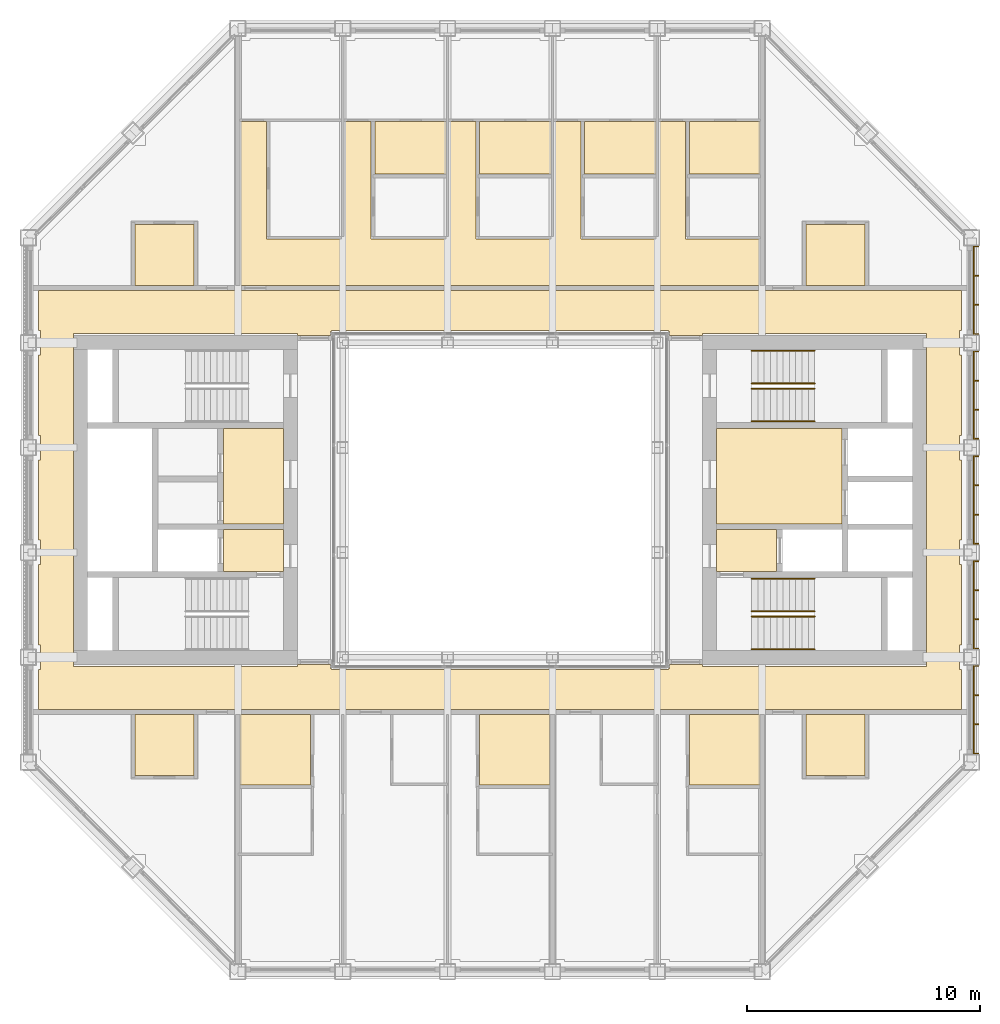
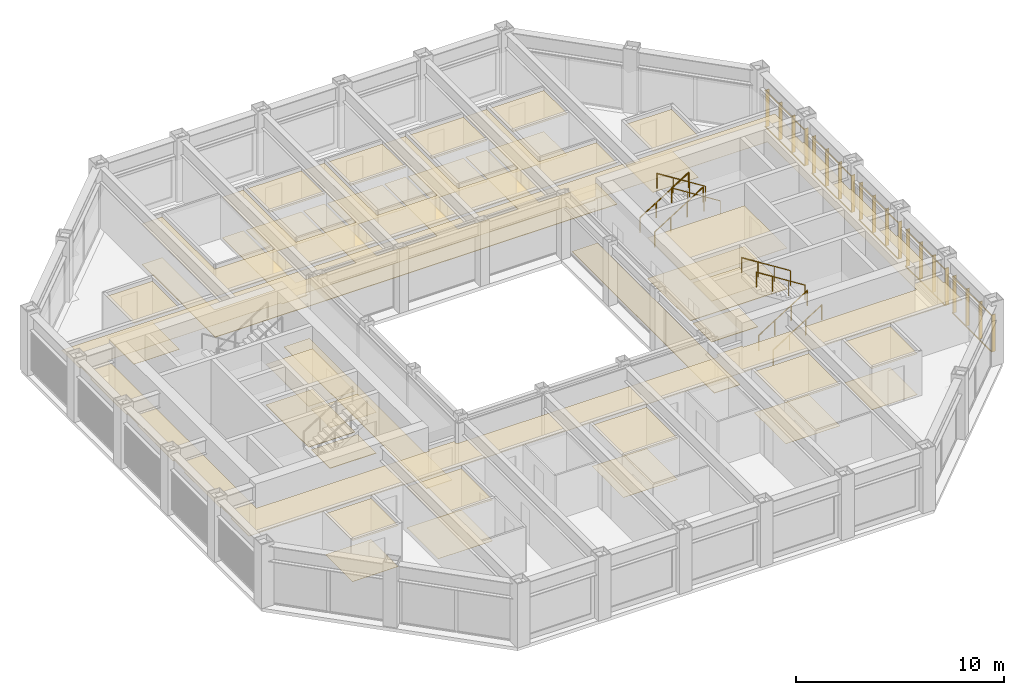
# One storey, part 17 of 18: 8 railings, 4 coverings, 1 shading device.
"""IFC4 building model written with IfcOpenShell, lengths in metres."""

from ifc_helpers import new_model, si_unit, direction, frame, origin, origin_2d, place, context, subcontext, project, spatial, line, indexed_curve, rectangle, circle, outline, extrude, material, layer, layer_set, type_object, element, save


model = new_model("IFC4")

# Units and contexts
model_context = context("Model", 3, precision=1e-05, world=origin(), true_north=direction((0.0, 1.0)))
body_context = subcontext(model_context, "Body", "Model", "MODEL_VIEW")
ifc_project = project(units=[si_unit("LENGTHUNIT", "METRE"), si_unit("AREAUNIT", "SQUARE_METRE"), si_unit("VOLUMEUNIT", "CUBIC_METRE"), si_unit("PLANEANGLEUNIT", "RADIAN"), si_unit("MASSUNIT", "GRAM", prefix="KILO")], contexts=[model_context])

# Site, building, storey
site_placement = place(None, origin())
site = spatial("IfcSite", under=ifc_project, at=site_placement, CompositionType="ELEMENT")
building_placement = place(site_placement, origin())
building = spatial("IfcBuilding", under=site, at=building_placement, Name="Msasa Ring Tower", CompositionType="ELEMENT")
storey_placement = place(building_placement, frame((0.0, 0.0, 245.800048828125)))
storey = spatial("IfcBuildingStorey", under=building, at=storey_placement, Name="L64", CompositionType="ELEMENT", Elevation=245.800048828125)

# Shading device
ifc_material_1 = material(Name="Extruded terracotta on aluminium carriers", Category="masonry")
shading_device_type = type_object("IfcShadingDeviceType", Name="BS2 TERRACOTTA FIN SCREEN 40x200 AT 1350", PredefinedType="USERDEFINED", material=ifc_material_1)
shading_device_placement = place(storey_placement, origin())
element("IfcShadingDevice", 1, at=shading_device_placement, inside=storey, type_object=shading_device_type, Name="Terracotta fin screen E L64", ObjectType="BAGUETTE", PredefinedType="USERDEFINED", context=body_context, shape_type="SweptSolid", body=[
    extrude(rectangle(XDim=0.06005859375, YDim=0.0400390625, at=origin_2d()), frame((20.330078125, -10.89990234375, 0.329833984375), z_axis=(0.0, 1.0, 0.0), x_axis=(0.0, 0.0, 1.0)), (0.0, 0.0, 1.0), 3.800048828125),
    extrude(rectangle(XDim=0.06005859375, YDim=0.0400390625, at=origin_2d()), frame((20.330078125, -10.89990234375, 2.448974609375), z_axis=(0.0, 1.0, 0.0), x_axis=(0.0, 0.0, 1.0)), (0.0, 0.0, 1.0), 3.800048828125),
    extrude(rectangle(XDim=0.0400390625, YDim=0.199951171875, at=origin_2d()), frame((20.445068359375, -10.8798828125, 0.300048828125), z_axis=(0.0, 0.0, 1.0), x_axis=(0.0, 1.0, 0.0)), (0.0, 0.0, 1.0), 2.178955078125),
    extrude(rectangle(XDim=0.0400390625, YDim=0.199951171875, at=origin_2d()), frame((20.445068359375, -9.626708984375, 0.300048828125), z_axis=(0.0, 0.0, 1.0), x_axis=(0.0, 1.0, 0.0)), (0.0, 0.0, 1.0), 2.178955078125),
    extrude(rectangle(XDim=0.0400390625, YDim=0.199951171875, at=origin_2d()), frame((20.445068359375, -8.373291015625, 0.300048828125), z_axis=(0.0, 0.0, 1.0), x_axis=(0.0, 1.0, 0.0)), (0.0, 0.0, 1.0), 2.178955078125),
    extrude(rectangle(XDim=0.0400390625, YDim=0.199951171875, at=origin_2d()), frame((20.445068359375, -7.1201171875, 0.300048828125), z_axis=(0.0, 0.0, 1.0), x_axis=(0.0, 1.0, 0.0)), (0.0, 0.0, 1.0), 2.178955078125),
    extrude(rectangle(XDim=0.06005859375, YDim=0.0400390625, at=origin_2d()), frame((20.330078125, -6.39990234375, 0.329833984375), z_axis=(0.0, 1.0, 0.0), x_axis=(0.0, 0.0, 1.0)), (0.0, 0.0, 1.0), 3.800048828125),
    extrude(rectangle(XDim=0.06005859375, YDim=0.0400390625, at=origin_2d()), frame((20.330078125, -6.39990234375, 2.448974609375), z_axis=(0.0, 1.0, 0.0), x_axis=(0.0, 0.0, 1.0)), (0.0, 0.0, 1.0), 3.800048828125),
    extrude(rectangle(XDim=0.0400390625, YDim=0.199951171875, at=origin_2d()), frame((20.445068359375, -6.3798828125, 0.300048828125), z_axis=(0.0, 0.0, 1.0), x_axis=(0.0, 1.0, 0.0)), (0.0, 0.0, 1.0), 2.178955078125),
    extrude(rectangle(XDim=0.0400390625, YDim=0.199951171875, at=origin_2d()), frame((20.445068359375, -5.126708984375, 0.300048828125), z_axis=(0.0, 0.0, 1.0), x_axis=(0.0, 1.0, 0.0)), (0.0, 0.0, 1.0), 2.178955078125),
    extrude(rectangle(XDim=0.0400390625, YDim=0.199951171875, at=origin_2d()), frame((20.445068359375, -3.873291015625, 0.300048828125), z_axis=(0.0, 0.0, 1.0), x_axis=(0.0, 1.0, 0.0)), (0.0, 0.0, 1.0), 2.178955078125),
    extrude(rectangle(XDim=0.0400390625, YDim=0.199951171875, at=origin_2d()), frame((20.445068359375, -2.6201171875, 0.300048828125), z_axis=(0.0, 0.0, 1.0), x_axis=(0.0, 1.0, 0.0)), (0.0, 0.0, 1.0), 2.178955078125),
    extrude(rectangle(XDim=0.06005859375, YDim=0.0400390625, at=origin_2d()), frame((20.330078125, -1.89990234375, 0.329833984375), z_axis=(0.0, 1.0, 0.0), x_axis=(0.0, 0.0, 1.0)), (0.0, 0.0, 1.0), 3.800048828125),
    extrude(rectangle(XDim=0.06005859375, YDim=0.0400390625, at=origin_2d()), frame((20.330078125, -1.89990234375, 2.448974609375), z_axis=(0.0, 1.0, 0.0), x_axis=(0.0, 0.0, 1.0)), (0.0, 0.0, 1.0), 3.800048828125),
    extrude(rectangle(XDim=0.0400390625, YDim=0.199951171875, at=origin_2d()), frame((20.445068359375, -1.8798828125, 0.300048828125), z_axis=(0.0, 0.0, 1.0), x_axis=(0.0, 1.0, 0.0)), (0.0, 0.0, 1.0), 2.178955078125),
    extrude(rectangle(XDim=0.0400390625, YDim=0.199951171875, at=origin_2d()), frame((20.445068359375, -0.626708984375, 0.300048828125), z_axis=(0.0, 0.0, 1.0), x_axis=(0.0, 1.0, 0.0)), (0.0, 0.0, 1.0), 2.178955078125),
    extrude(rectangle(XDim=0.0400390625, YDim=0.199951171875, at=origin_2d()), frame((20.445068359375, 0.626708984375, 0.300048828125), z_axis=(0.0, 0.0, 1.0), x_axis=(0.0, 1.0, 0.0)), (0.0, 0.0, 1.0), 2.178955078125),
    extrude(rectangle(XDim=0.0400390625, YDim=0.199951171875, at=origin_2d()), frame((20.445068359375, 1.8798828125, 0.300048828125), z_axis=(0.0, 0.0, 1.0), x_axis=(0.0, 1.0, 0.0)), (0.0, 0.0, 1.0), 2.178955078125),
    extrude(rectangle(XDim=0.06005859375, YDim=0.0400390625, at=origin_2d()), frame((20.330078125, 2.60009765625, 0.329833984375), z_axis=(0.0, 1.0, 0.0), x_axis=(0.0, 0.0, 1.0)), (0.0, 0.0, 1.0), 3.800048828125),
    extrude(rectangle(XDim=0.06005859375, YDim=0.0400390625, at=origin_2d()), frame((20.330078125, 2.60009765625, 2.448974609375), z_axis=(0.0, 1.0, 0.0), x_axis=(0.0, 0.0, 1.0)), (0.0, 0.0, 1.0), 3.800048828125),
    extrude(rectangle(XDim=0.0400390625, YDim=0.199951171875, at=origin_2d()), frame((20.445068359375, 2.6201171875, 0.300048828125), z_axis=(0.0, 0.0, 1.0), x_axis=(0.0, 1.0, 0.0)), (0.0, 0.0, 1.0), 2.178955078125),
    extrude(rectangle(XDim=0.0400390625, YDim=0.199951171875, at=origin_2d()), frame((20.445068359375, 3.873291015625, 0.300048828125), z_axis=(0.0, 0.0, 1.0), x_axis=(0.0, 1.0, 0.0)), (0.0, 0.0, 1.0), 2.178955078125),
    extrude(rectangle(XDim=0.0400390625, YDim=0.199951171875, at=origin_2d()), frame((20.445068359375, 5.126708984375, 0.300048828125), z_axis=(0.0, 0.0, 1.0), x_axis=(0.0, 1.0, 0.0)), (0.0, 0.0, 1.0), 2.178955078125),
    extrude(rectangle(XDim=0.0400390625, YDim=0.199951171875, at=origin_2d()), frame((20.445068359375, 6.3798828125, 0.300048828125), z_axis=(0.0, 0.0, 1.0), x_axis=(0.0, 1.0, 0.0)), (0.0, 0.0, 1.0), 2.178955078125),
    extrude(rectangle(XDim=0.06005859375, YDim=0.0400390625, at=origin_2d()), frame((20.330078125, 7.10009765625, 0.329833984375), z_axis=(0.0, 1.0, 0.0), x_axis=(0.0, 0.0, 1.0)), (0.0, 0.0, 1.0), 3.800048828125),
    extrude(rectangle(XDim=0.06005859375, YDim=0.0400390625, at=origin_2d()), frame((20.330078125, 7.10009765625, 2.448974609375), z_axis=(0.0, 1.0, 0.0), x_axis=(0.0, 0.0, 1.0)), (0.0, 0.0, 1.0), 3.800048828125),
    extrude(rectangle(XDim=0.0400390625, YDim=0.199951171875, at=origin_2d()), frame((20.445068359375, 7.1201171875, 0.300048828125), z_axis=(0.0, 0.0, 1.0), x_axis=(0.0, 1.0, 0.0)), (0.0, 0.0, 1.0), 2.178955078125),
    extrude(rectangle(XDim=0.0400390625, YDim=0.199951171875, at=origin_2d()), frame((20.445068359375, 8.373291015625, 0.300048828125), z_axis=(0.0, 0.0, 1.0), x_axis=(0.0, 1.0, 0.0)), (0.0, 0.0, 1.0), 2.178955078125),
    extrude(rectangle(XDim=0.0400390625, YDim=0.199951171875, at=origin_2d()), frame((20.445068359375, 9.626708984375, 0.300048828125), z_axis=(0.0, 0.0, 1.0), x_axis=(0.0, 1.0, 0.0)), (0.0, 0.0, 1.0), 2.178955078125),
    extrude(rectangle(XDim=0.0400390625, YDim=0.199951171875, at=origin_2d()), frame((20.445068359375, 10.8798828125, 0.300048828125), z_axis=(0.0, 0.0, 1.0), x_axis=(0.0, 1.0, 0.0)), (0.0, 0.0, 1.0), 2.178955078125),
])

# Coverings
ifc_material_2 = material(Name="Gypsum plasterboard on a steel suspension grid", Category="steel")
ifc_layer_1 = layer(ifc_material_2, 0.014892578125)
ifc_layer_set_1 = layer_set([ifc_layer_1], Name="C1 SUSPENDED PLASTERBOARD CEILING 15")
covering_type_1 = type_object("IfcCoveringType", Name="C1 SUSPENDED PLASTERBOARD CEILING 15", PredefinedType="CEILING", material=ifc_layer_set_1)
covering_1_placement = place(storey_placement, frame((0.0, 0.0, 2.39990234375)))
element("IfcCovering", 2, at=covering_1_placement, inside=storey, type_object=covering_type_1, Name="Suspended Plasterboard Ceiling 15 circulation L64", PredefinedType="CEILING", context=body_context, shape_type="SweptSolid", body=[
    extrude(outline(indexed_curve([(19.799560546875, 7.275390625), (19.724609375, 7.275390625), (19.724609375, 6.224609375), (19.799560546875, 6.224609375), (19.799560546875, 2.775390625), (19.724609375, 2.775390625), (19.724609375, 1.724609375), (19.799560546875, 1.724609375), (19.799560546875, -1.724609375), (19.724609375, -1.724609375), (19.724609375, -2.775390625), (19.799560546875, -2.775390625), (19.799560546875, -6.224609375), (19.724609375, -6.224609375), (19.724609375, -7.275390625), (19.799560546875, -7.275390625), (19.799560546875, -8.99951171875), (-19.799560546875, -8.99951171875), (-19.799560546875, -7.275390625), (-19.724609375, -7.275390625), (-19.724609375, -6.224609375), (-19.799560546875, -6.224609375), (-19.799560546875, -2.775390625), (-19.724609375, -2.775390625), (-19.724609375, -1.724609375), (-19.799560546875, -1.724609375), (-19.799560546875, 1.724609375), (-19.724609375, 1.724609375), (-19.724609375, 2.775390625), (-19.799560546875, 2.775390625), (-19.799560546875, 6.224609375), (-19.724609375, 6.224609375), (-19.724609375, 7.275390625), (-19.799560546875, 7.275390625), (-19.799560546875, 8.99951171875), (19.799560546875, 8.99951171875)], segments=[line(1, 2, 3, 4, 5, 6, 7, 8, 9, 10, 11, 12, 13, 14, 15, 16, 17, 18, 19, 20, 21, 22, 23, 24, 25, 26, 27, 28, 29, 30, 31, 32, 33, 34, 35, 36, 1)], self_intersect=False), holes=[indexed_curve([(8.699462890625, -7.150390625), (18.300537109375, -7.150390625), (18.300537109375, 7.150390625), (8.699462890625, 7.150390625), (8.699462890625, 7.050537109375), (7.280029296875, 7.050537109375), (7.280517578125, 7.23046875), (7.22998046875, 7.23046875), (7.22998046875, 7.280029296875), (-7.22998046875, 7.280029296875), (-7.22998046875, 7.23046875), (-7.280517578125, 7.23046875), (-7.280029296875, 7.050537109375), (-8.699462890625, 7.050537109375), (-8.699462890625, 7.150390625), (-18.300537109375, 7.150390625), (-18.300537109375, -7.150390625), (-8.699462890625, -7.150390625), (-8.699462890625, -7.050537109375), (-7.280029296875, -7.050537109375), (-7.280517578125, -7.23046875), (-7.22998046875, -7.23046875), (-7.22998046875, -7.280029296875), (7.22998046875, -7.280029296875), (7.22998046875, -7.23046875), (7.280517578125, -7.23046875), (7.280029296875, -7.050537109375), (8.699462890625, -7.050537109375)], segments=[line(1, 2, 3, 4, 5, 6, 7, 8, 9, 10, 11, 12, 13, 14, 15, 16, 17, 18, 19, 20, 21, 22, 23, 24, 25, 26, 27, 28, 1)], self_intersect=False)]), origin(), (0.0, 0.0, 1.0), 0.01513671875),
    extrude(outline(indexed_curve([(-9.300537109375, -3.074462890625), (-11.87451171875, -3.074462890625), (-11.87451171875, -1.275390625), (-9.300537109375, -1.275390625)], segments=[line(1, 2, 3, 4, 1)], self_intersect=False)), origin(), (0.0, 0.0, 1.0), 0.01513671875),
    extrude(outline(indexed_curve([(-9.300537109375, -1.0244140625), (-11.87451171875, -1.0244140625), (-11.87451171875, 3.074462890625), (-9.300537109375, 3.074462890625)], segments=[line(1, 2, 3, 4, 1)], self_intersect=False)), origin(), (0.0, 0.0, 1.0), 0.01513671875),
    extrude(outline(indexed_curve([(-6.689453125, 16.244384765625), (-5.530517578125, 16.244384765625), (-5.530517578125, 11.199462890625), (-2.189453125, 11.199462890625), (-2.189453125, 16.244384765625), (-1.030517578125, 16.244384765625), (-1.030517578125, 11.199462890625), (2.310546875, 11.199462890625), (2.310546875, 16.244384765625), (3.469482421875, 16.244384765625), (3.469482421875, 11.199462890625), (6.810546875, 11.199462890625), (6.810546875, 16.244384765625), (7.969482421875, 16.244384765625), (7.969482421875, 11.199462890625), (11.1494140625, 11.199462890625), (11.1494140625, 9.200439453125), (-11.1494140625, 9.200439453125), (-11.1494140625, 16.244384765625), (-10.030517578125, 16.244384765625), (-10.030517578125, 11.199462890625), (-6.689453125, 11.199462890625)], segments=[line(1, 2, 3, 4, 5, 6, 7, 8, 9, 10, 11, 12, 13, 14, 15, 16, 17, 18, 19, 20, 21, 22, 1)], self_intersect=False)), origin(), (0.0, 0.0, 1.0), 0.01513671875),
    extrude(outline(indexed_curve([(9.300537109375, -3.074462890625), (9.300537109375, -1.275390625), (11.87451171875, -1.275390625), (11.87451171875, -3.074462890625)], segments=[line(1, 2, 3, 4, 1)], self_intersect=False)), origin(), (0.0, 0.0, 1.0), 0.01513671875),
    extrude(outline(indexed_curve([(9.300537109375, -1.0244140625), (9.300537109375, 3.074462890625), (14.674560546875, 3.074462890625), (14.674560546875, -1.0244140625)], segments=[line(1, 2, 3, 4, 1)], self_intersect=False)), origin(), (0.0, 0.0, 1.0), 0.01513671875),
])
ifc_material_3 = material(Name="Moisture-resistant gypsum plasterboard on a steel suspension grid", Category="steel")
ifc_layer_2 = layer(ifc_material_3, 0.014892578125)
ifc_layer_set_2 = layer_set([ifc_layer_2], Name="C2 MOISTURE-RESISTANT PLASTERBOARD CEILING 15")
covering_type_2 = type_object("IfcCoveringType", Name="C2 MOISTURE-RESISTANT PLASTERBOARD CEILING 15", PredefinedType="CEILING", material=ifc_layer_set_2)
covering_2_placement = place(storey_placement, frame((0.0, 0.0, 2.39990234375)))
element("IfcCovering", 3, at=covering_2_placement, inside=storey, type_object=covering_type_2, Name="Moisture-Resistant Plasterboard Ceiling 15 L64", PredefinedType="CEILING", context=body_context, shape_type="SweptSolid", body=[
    extrude(outline(indexed_curve([(-15.66943359375, -11.819580078125), (-15.66943359375, -9.200439453125), (-13.130615234375, -9.200439453125), (-13.130615234375, -11.819580078125)], segments=[line(1, 2, 3, 4, 1)], self_intersect=False)), origin(), (0.0, 0.0, 1.0), 0.01513671875),
    extrude(outline(indexed_curve([(-15.66943359375, 11.819580078125), (-13.130615234375, 11.819580078125), (-13.130615234375, 9.200439453125), (-15.66943359375, 9.200439453125)], segments=[line(1, 2, 3, 4, 1)], self_intersect=False)), origin(), (0.0, 0.0, 1.0), 0.01513671875),
    extrude(outline(indexed_curve([(-11.1494140625, -9.200439453125), (-8.12548828125, -9.200439453125), (-8.12548828125, -12.224609375), (-11.1494140625, -12.224609375)], segments=[line(1, 2, 3, 4, 1)], self_intersect=False)), origin(), (0.0, 0.0, 1.0), 0.01513671875),
    extrude(outline(indexed_curve([(-5.369384765625, 16.244384765625), (-2.310546875, 16.244384765625), (-2.310546875, 13.98046875), (-5.369384765625, 13.98046875)], segments=[line(1, 2, 3, 4, 1)], self_intersect=False)), origin(), (0.0, 0.0, 1.0), 0.01513671875),
    extrude(outline(indexed_curve([(2.1494140625, -9.200439453125), (2.1494140625, -12.224609375), (-0.87451171875, -12.224609375), (-0.87451171875, -9.200439453125)], segments=[line(1, 2, 3, 4, 1)], self_intersect=False)), origin(), (0.0, 0.0, 1.0), 0.01513671875),
    extrude(outline(indexed_curve([(-0.869384765625, 13.98046875), (-0.869384765625, 16.244384765625), (2.189453125, 16.244384765625), (2.189453125, 13.98046875)], segments=[line(1, 2, 3, 4, 1)], self_intersect=False)), origin(), (0.0, 0.0, 1.0), 0.01513671875),
    extrude(outline(indexed_curve([(3.630615234375, 16.244384765625), (6.689453125, 16.244384765625), (6.689453125, 13.98046875), (3.630615234375, 13.98046875)], segments=[line(1, 2, 3, 4, 1)], self_intersect=False)), origin(), (0.0, 0.0, 1.0), 0.01513671875),
    extrude(outline(indexed_curve([(11.1494140625, -9.200439453125), (11.1494140625, -12.224609375), (8.12548828125, -12.224609375), (8.12548828125, -9.200439453125)], segments=[line(1, 2, 3, 4, 1)], self_intersect=False)), origin(), (0.0, 0.0, 1.0), 0.01513671875),
    extrude(outline(indexed_curve([(8.130615234375, 16.244384765625), (11.1494140625, 16.244384765625), (11.1494140625, 13.98046875), (8.130615234375, 13.98046875)], segments=[line(1, 2, 3, 4, 1)], self_intersect=False)), origin(), (0.0, 0.0, 1.0), 0.01513671875),
    extrude(outline(indexed_curve([(13.130615234375, -9.200439453125), (15.66943359375, -9.200439453125), (15.66943359375, -11.819580078125), (13.130615234375, -11.819580078125)], segments=[line(1, 2, 3, 4, 1)], self_intersect=False)), origin(), (0.0, 0.0, 1.0), 0.01513671875),
    extrude(outline(indexed_curve([(13.130615234375, 9.200439453125), (13.130615234375, 11.819580078125), (15.66943359375, 11.819580078125), (15.66943359375, 9.200439453125)], segments=[line(1, 2, 3, 4, 1)], self_intersect=False)), origin(), (0.0, 0.0, 1.0), 0.01513671875),
])
ifc_material_4 = material(Name="Honed granite tiles on a mortar bed", Category="masonry")
ifc_layer_3 = layer(ifc_material_4, 0.030029296875)
ifc_layer_set_3 = layer_set([ifc_layer_3], Name="F1 HONED GRANITE ON BEDDING 30")
covering_type_3 = type_object("IfcCoveringType", Name="F1 HONED GRANITE ON BEDDING 30", PredefinedType="FLOORING", material=ifc_layer_set_3)
covering_3_placement = place(storey_placement, origin())
element("IfcCovering", 4, at=covering_3_placement, inside=storey, type_object=covering_type_3, Name="Honed Granite On Bedding 30 L64", PredefinedType="FLOORING", context=body_context, shape_type="SweptSolid", body=[
    extrude(outline(indexed_curve([(-11.87451171875, -3.074462890625), (-11.87451171875, -1.275390625), (-9.300537109375, -1.275390625), (-9.300537109375, -3.074462890625)], segments=[line(1, 2, 3, 4, 1)], self_intersect=False)), origin(), (0.0, 0.0, 1.0), 0.030029296875),
    extrude(outline(indexed_curve([(-11.87451171875, 3.074462890625), (-9.300537109375, 3.074462890625), (-9.300537109375, -1.0244140625), (-11.87451171875, -1.0244140625)], segments=[line(1, 2, 3, 4, 1)], self_intersect=False)), origin(), (0.0, 0.0, 1.0), 0.030029296875),
    extrude(outline(indexed_curve([(-5.530517578125, 16.244384765625), (-5.530517578125, 11.199462890625), (-2.189453125, 11.199462890625), (-2.189453125, 16.244384765625), (-1.030517578125, 16.244384765625), (-1.030517578125, 11.199462890625), (2.310546875, 11.199462890625), (2.310546875, 16.244384765625), (3.469482421875, 16.244384765625), (3.469482421875, 11.199462890625), (6.810546875, 11.199462890625), (6.810546875, 16.244384765625), (7.969482421875, 16.244384765625), (7.969482421875, 11.199462890625), (11.1494140625, 11.199462890625), (11.1494140625, 9.200439453125), (-11.1494140625, 9.200439453125), (-11.1494140625, 16.244384765625), (-10.030517578125, 16.244384765625), (-10.030517578125, 11.199462890625), (-6.689453125, 11.199462890625), (-6.689453125, 16.244384765625)], segments=[line(1, 2, 3, 4, 5, 6, 7, 8, 9, 10, 11, 12, 13, 14, 15, 16, 17, 18, 19, 20, 21, 22, 1)], self_intersect=False)), origin(), (0.0, 0.0, 1.0), 0.030029296875),
    extrude(outline(indexed_curve([(-8.699462890625, 6.849609375), (-7.280029296875, 6.849609375), (-7.280029296875, -6.849609375), (-8.699462890625, -6.849609375)], segments=[line(1, 2, 3, 4, 1)], self_intersect=False)), origin(), (0.0, 0.0, 1.0), 0.030029296875),
    extrude(outline(indexed_curve([(8.699462890625, 6.849609375), (8.699462890625, -6.849609375), (7.280029296875, -6.849609375), (7.280029296875, 6.849609375)], segments=[line(1, 2, 3, 4, 1)], self_intersect=False)), origin(), (0.0, 0.0, 1.0), 0.030029296875),
    extrude(outline(indexed_curve([(9.300537109375, -1.275390625), (11.87451171875, -1.275390625), (11.87451171875, -3.074462890625), (9.300537109375, -3.074462890625)], segments=[line(1, 2, 3, 4, 1)], self_intersect=False)), origin(), (0.0, 0.0, 1.0), 0.030029296875),
    extrude(outline(indexed_curve([(9.300537109375, 3.074462890625), (14.674560546875, 3.074462890625), (14.674560546875, -1.0244140625), (9.300537109375, -1.0244140625)], segments=[line(1, 2, 3, 4, 1)], self_intersect=False)), origin(), (0.0, 0.0, 1.0), 0.030029296875),
])
ifc_material_5 = material(Name="Porcelain floor tiles in adhesive", Category="ceramic")
ifc_layer_4 = layer(ifc_material_5, 0.010009765625)
ifc_layer_set_4 = layer_set([ifc_layer_4], Name="F4 PORCELAIN TILE ON ADHESIVE 10")
covering_type_4 = type_object("IfcCoveringType", Name="F4 PORCELAIN TILE ON ADHESIVE 10", PredefinedType="FLOORING", material=ifc_layer_set_4)
covering_4_placement = place(storey_placement, origin())
element("IfcCovering", 5, at=covering_4_placement, inside=storey, type_object=covering_type_4, Name="Porcelain Tile On Adhesive 10 L64", PredefinedType="FLOORING", context=body_context, shape_type="SweptSolid", body=[
    extrude(outline(indexed_curve([(-15.66943359375, -9.200439453125), (-13.130615234375, -9.200439453125), (-13.130615234375, -11.819580078125), (-15.66943359375, -11.819580078125)], segments=[line(1, 2, 3, 4, 1)], self_intersect=False)), origin(), (0.0, 0.0, 1.0), 0.010009765625),
    extrude(outline(indexed_curve([(-13.130615234375, 11.819580078125), (-13.130615234375, 9.200439453125), (-15.66943359375, 9.200439453125), (-15.66943359375, 11.819580078125)], segments=[line(1, 2, 3, 4, 1)], self_intersect=False)), origin(), (0.0, 0.0, 1.0), 0.010009765625),
    extrude(outline(indexed_curve([(-11.1494140625, -9.200439453125), (-8.12548828125, -9.200439453125), (-8.12548828125, -12.224609375), (-11.1494140625, -12.224609375)], segments=[line(1, 2, 3, 4, 1)], self_intersect=False)), origin(), (0.0, 0.0, 1.0), 0.010009765625),
    extrude(outline(indexed_curve([(-2.310546875, 16.244384765625), (-2.310546875, 13.98046875), (-5.369384765625, 13.98046875), (-5.369384765625, 16.244384765625)], segments=[line(1, 2, 3, 4, 1)], self_intersect=False)), origin(), (0.0, 0.0, 1.0), 0.010009765625),
    extrude(outline(indexed_curve([(2.1494140625, -9.200439453125), (2.1494140625, -12.224609375), (-0.87451171875, -12.224609375), (-0.87451171875, -9.200439453125)], segments=[line(1, 2, 3, 4, 1)], self_intersect=False)), origin(), (0.0, 0.0, 1.0), 0.010009765625),
    extrude(outline(indexed_curve([(-0.869384765625, 16.244384765625), (2.189453125, 16.244384765625), (2.189453125, 13.98046875), (-0.869384765625, 13.98046875)], segments=[line(1, 2, 3, 4, 1)], self_intersect=False)), origin(), (0.0, 0.0, 1.0), 0.010009765625),
    extrude(outline(indexed_curve([(6.689453125, 16.244384765625), (6.689453125, 13.98046875), (3.630615234375, 13.98046875), (3.630615234375, 16.244384765625)], segments=[line(1, 2, 3, 4, 1)], self_intersect=False)), origin(), (0.0, 0.0, 1.0), 0.010009765625),
    extrude(outline(indexed_curve([(11.1494140625, -9.200439453125), (11.1494140625, -12.224609375), (8.12548828125, -12.224609375), (8.12548828125, -9.200439453125)], segments=[line(1, 2, 3, 4, 1)], self_intersect=False)), origin(), (0.0, 0.0, 1.0), 0.010009765625),
    extrude(outline(indexed_curve([(11.1494140625, 16.244384765625), (11.1494140625, 13.98046875), (8.130615234375, 13.98046875), (8.130615234375, 16.244384765625)], segments=[line(1, 2, 3, 4, 1)], self_intersect=False)), origin(), (0.0, 0.0, 1.0), 0.010009765625),
    extrude(outline(indexed_curve([(15.66943359375, -9.200439453125), (15.66943359375, -11.819580078125), (13.130615234375, -11.819580078125), (13.130615234375, -9.200439453125)], segments=[line(1, 2, 3, 4, 1)], self_intersect=False)), origin(), (0.0, 0.0, 1.0), 0.010009765625),
    extrude(outline(indexed_curve([(13.130615234375, 11.819580078125), (15.66943359375, 11.819580078125), (15.66943359375, 9.200439453125), (13.130615234375, 9.200439453125)], segments=[line(1, 2, 3, 4, 1)], self_intersect=False)), origin(), (0.0, 0.0, 1.0), 0.010009765625),
])

# Railings
ifc_material_6 = material(Name="Stainless steel", Category="steel")
railing_type = type_object("IfcRailingType", Name="HR1 HANDRAIL 900", PredefinedType="HANDRAIL", material=ifc_material_6)
for number, where, name in (
    (6, (10.800048828125, -6.39990234375, 0.17041015625), "Handrail stair SEA L64 1"),
    (7, (10.800048828125, -5.0, 0.17041015625), "Handrail stair SEA L64 2"),
):
    element("IfcRailing", number, at=place(storey_placement, frame(where)), inside=storey, type_object=railing_type, Name=name, PredefinedType="HANDRAIL", context=body_context, shape_type="SweptSolid", body=[
        extrude(circle(Radius=0.02392578125, at=origin_2d()), frame((0.0, 0.0, 0.8759765625), z_axis=(0.845579735284, 0.0, 0.533849146555), x_axis=(0.0, 1.0, 0.0)), (0.0, 0.0, 1.0), 3.193115234375),
        extrude(circle(Radius=0.02099609375, at=origin_2d()), origin(), (0.0, 0.0, 1.0), 0.851806640625),
        extrude(circle(Radius=0.02099609375, at=origin_2d()), frame((0.89990234375, 0.0, 0.568115234375)), (0.0, 0.0, 1.0), 0.851806640625),
        extrude(circle(Radius=0.02099609375, at=origin_2d()), frame((1.800048828125, 0.0, 1.136474609375)), (0.0, 0.0, 1.0), 0.851806640625),
        extrude(circle(Radius=0.02099609375, at=origin_2d()), frame((2.699951171875, 0.0, 1.70458984375)), (0.0, 0.0, 1.0), 0.851806640625),
    ])
for number, where, name in (
    (8, (13.5, -4.77490234375, 2.04541015625), "Handrail stair SEA L64 3"),
    (9, (13.5, -3.375, 2.04541015625), "Handrail stair SEA L64 4"),
):
    element("IfcRailing", number, at=place(storey_placement, frame(where)), inside=storey, type_object=railing_type, Name=name, PredefinedType="HANDRAIL", context=body_context, shape_type="SweptSolid", body=[
        extrude(circle(Radius=0.02392578125, at=origin_2d()), frame((0.0, 0.0, 0.8759765625), z_axis=(-0.845579735284, 0.0, 0.533849146555), x_axis=(0.0, -1.0, 0.0)), (0.0, 0.0, 1.0), 3.193115234375),
        extrude(circle(Radius=0.02099609375, at=origin_2d()), origin(), (0.0, 0.0, 1.0), 0.851806640625),
        extrude(circle(Radius=0.02099609375, at=origin_2d()), frame((-0.89990234375, 0.0, 0.568115234375)), (0.0, 0.0, 1.0), 0.851806640625),
        extrude(circle(Radius=0.02099609375, at=origin_2d()), frame((-1.800048828125, 0.0, 1.136474609375)), (0.0, 0.0, 1.0), 0.851806640625),
        extrude(circle(Radius=0.02099609375, at=origin_2d()), frame((-2.699951171875, 0.0, 1.70458984375)), (0.0, 0.0, 1.0), 0.851806640625),
    ])
for number, where, name in (
    (10, (10.800048828125, 5.0, 0.17041015625), "Handrail stair SEB L64 1"),
    (11, (10.800048828125, 6.39990234375, 0.17041015625), "Handrail stair SEB L64 2"),
):
    element("IfcRailing", number, at=place(storey_placement, frame(where)), inside=storey, type_object=railing_type, Name=name, PredefinedType="HANDRAIL", context=body_context, shape_type="SweptSolid", body=[
        extrude(circle(Radius=0.02392578125, at=origin_2d()), frame((0.0, 0.0, 0.8759765625), z_axis=(0.845579735284, 0.0, 0.533849146555), x_axis=(0.0, 1.0, 0.0)), (0.0, 0.0, 1.0), 3.193115234375),
        extrude(circle(Radius=0.02099609375, at=origin_2d()), origin(), (0.0, 0.0, 1.0), 0.851806640625),
        extrude(circle(Radius=0.02099609375, at=origin_2d()), frame((0.89990234375, 0.0, 0.568115234375)), (0.0, 0.0, 1.0), 0.851806640625),
        extrude(circle(Radius=0.02099609375, at=origin_2d()), frame((1.800048828125, 0.0, 1.136474609375)), (0.0, 0.0, 1.0), 0.851806640625),
        extrude(circle(Radius=0.02099609375, at=origin_2d()), frame((2.699951171875, 0.0, 1.70458984375)), (0.0, 0.0, 1.0), 0.851806640625),
    ])
for number, where, name in (
    (12, (13.5, 3.375, 2.04541015625), "Handrail stair SEB L64 3"),
    (13, (13.5, 4.77490234375, 2.04541015625), "Handrail stair SEB L64 4"),
):
    element("IfcRailing", number, at=place(storey_placement, frame(where)), inside=storey, type_object=railing_type, Name=name, PredefinedType="HANDRAIL", context=body_context, shape_type="SweptSolid", body=[
        extrude(circle(Radius=0.02392578125, at=origin_2d()), frame((0.0, 0.0, 0.8759765625), z_axis=(-0.845579735284, 0.0, 0.533849146555), x_axis=(0.0, -1.0, 0.0)), (0.0, 0.0, 1.0), 3.193115234375),
        extrude(circle(Radius=0.02099609375, at=origin_2d()), origin(), (0.0, 0.0, 1.0), 0.851806640625),
        extrude(circle(Radius=0.02099609375, at=origin_2d()), frame((-0.89990234375, 0.0, 0.568115234375)), (0.0, 0.0, 1.0), 0.851806640625),
        extrude(circle(Radius=0.02099609375, at=origin_2d()), frame((-1.800048828125, 0.0, 1.136474609375)), (0.0, 0.0, 1.0), 0.851806640625),
        extrude(circle(Radius=0.02099609375, at=origin_2d()), frame((-2.699951171875, 0.0, 1.70458984375)), (0.0, 0.0, 1.0), 0.851806640625),
    ])

save(model, "model.ifc")
